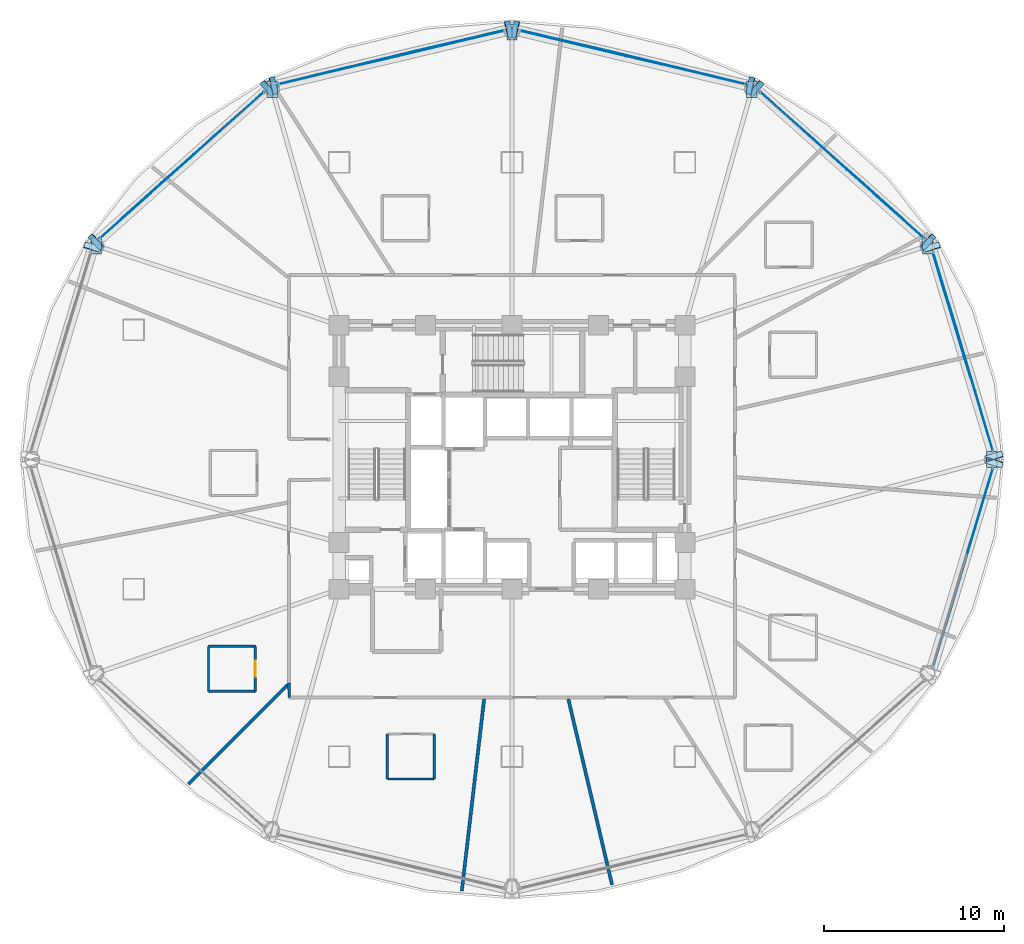
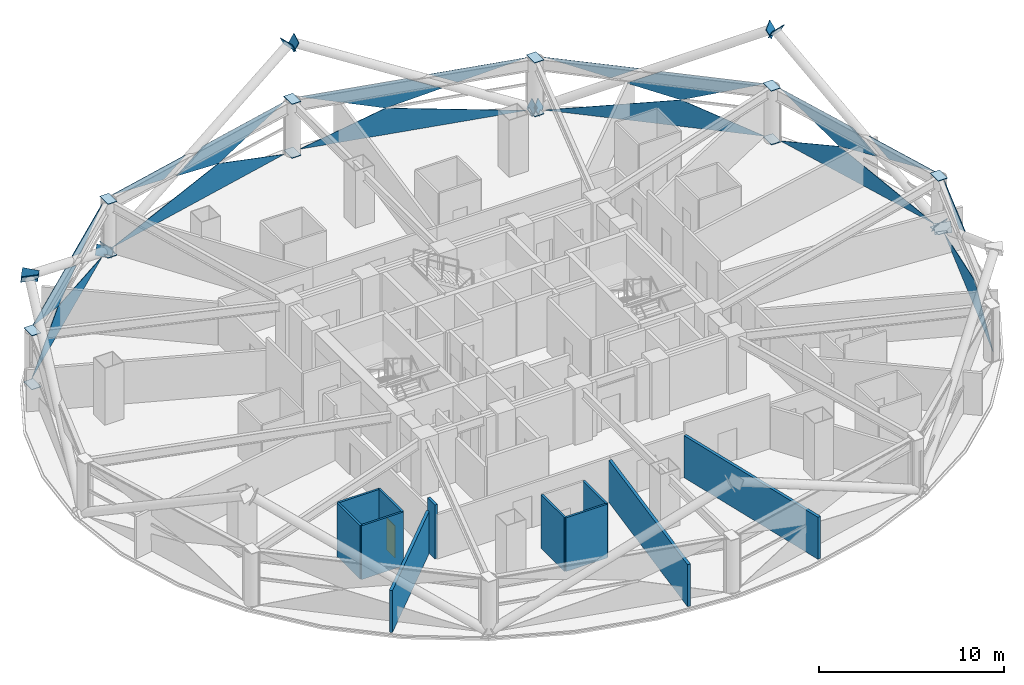
# One storey, part 23 of 31: 41 plates, 11 walls, 1 door, 1 opening, 6 elements without a shape of their own.
"""IFC4 building model written with IfcOpenShell, lengths in metres."""

from ifc_helpers import new_model, si_unit, direction, frame, frame_2d, origin, place, context, subcontext, project, spatial, polyline, rectangle, outline, extrude, material, layer, layer_set, type_object, element, fill, aggregate, save


model = new_model("IFC4")

# Units and contexts
model_context = context("Model", 3, precision=1e-05, world=origin(), true_north=direction((0.0, 1.0)))
body_context = subcontext(model_context, "Body", "Model", "MODEL_VIEW")
ifc_project = project(units=[si_unit("LENGTHUNIT", "METRE"), si_unit("AREAUNIT", "SQUARE_METRE"), si_unit("VOLUMEUNIT", "CUBIC_METRE"), si_unit("PLANEANGLEUNIT", "RADIAN"), si_unit("MASSUNIT", "GRAM", prefix="KILO")], contexts=[model_context])

# Site, building, storey
site_placement = place(None, origin())
site = spatial("IfcSite", under=ifc_project, at=site_placement, CompositionType="ELEMENT")
building_placement = place(site_placement, origin())
building = spatial("IfcBuilding", under=site, at=building_placement, Name="Vantalir Tower", CompositionType="ELEMENT")
storey_placement = place(building_placement, frame((0.0, 0.0, 42.0)))
storey = spatial("IfcBuildingStorey", under=building, at=storey_placement, Name="L09", CompositionType="ELEMENT", Elevation=42.0)

# Curtain wall, plates
ifc_material_1 = material(Name="Champagne-silver PVDF aluminium and double-silver Low-E glass", Category="aluminium")
ifc_layer_1 = layer(ifc_material_1, 0.18994140625)
ifc_layer_set_1 = layer_set([ifc_layer_1], Name="Champagne-silver PVDF aluminium and double-silver Low-E glass")
curtain_wall_type = type_object("IfcCurtainWallType", Name="CW-DIAMOND-Z1", PredefinedType="USERDEFINED", material=ifc_layer_set_1)
curtain_wall_1_placement = place(storey_placement, origin())
curtain_wall_1 = element("IfcCurtainWall", 1, at=curtain_wall_1_placement, inside=storey, type_object=curtain_wall_type, Name="L09 Quilted Pyramid-Diamond Curtain Wall S01", ObjectType="UNITISED CURTAIN WALL", PredefinedType="USERDEFINED")
ifc_material_2 = material(Name="Double-silver Low-E laminated glass IGU", Category="glass")
ifc_layer_2 = layer(ifc_material_2, 0.028076171875)
ifc_layer_set_2 = layer_set([ifc_layer_2], Name="Double-silver Low-E laminated glass IGU")
plate_type_1 = type_object("IfcPlateType", Name="CWP-IGU-28", PredefinedType="CURTAIN_PANEL", material=ifc_layer_set_2)
plate_1_placement = place(storey_placement, frame((58.189453125, 25.46435546875, 0.04638671875), z_axis=(-0.95758802022, -0.287810871385, 0.013787162279), x_axis=(-0.287837949678, 0.95767912908, 2.1198847e-05)))
plate_1 = element("IfcPlate", 2, at=plate_1_placement, type_object=plate_type_1, Name="CW-L09-S01 Pyramid Diamond Facet 1L", PredefinedType="CURTAIN_PANEL", context=body_context, shape_type="SweptSolid", body=[
    extrude(outline(polyline([(0.0, 0.0), (11.516693368469967, 4.960224939121183e-18), (7.134474884502269, -1.7268195281423935), (0.0, 0.0)])), origin(), (0.0, 0.0, -1.0), 0.028076171875),
])
plate_2_placement = place(storey_placement, frame((56.429931640625, 31.31884765625, 3.5234375), z_axis=(0.957586152687, 0.287819327154, 0.013740272884), x_axis=(-0.287846501772, 0.957676558874, 1.01143e-07)))
plate_2 = element("IfcPlate", 3, at=plate_2_placement, type_object=plate_type_1, Name="CW-L09-S01 Pyramid Diamond Facet 2U", PredefinedType="CURTAIN_PANEL", context=body_context, shape_type="SweptSolid", body=[
    extrude(outline(polyline([(0.0, 0.0), (5.4035113292705805, 0.0), (1.0212558560999583, -1.7269697733273917), (-1.8142888355389373, -1.0403806871199028), (0.0, 0.0)])), origin(), (0.0, 0.0, -1.0), 0.028076171875),
])
plate_3_placement = place(storey_placement, frame((58.219970703125, 25.4736328125, 3.524169921875), z_axis=(0.957588532416, 0.287802447823, 0.013926722994), x_axis=(-0.287829700777, 0.957681607266, -4.9548924e-05)))
plate_3 = element("IfcPlate", 4, at=plate_3_placement, type_object=plate_type_1, Name="CW-L09-S01 Pyramid Diamond Facet 2U Infill Light", PredefinedType="CURTAIN_PANEL", context=body_context, shape_type="SweptSolid", body=[
    extrude(outline(polyline([(0.0, 0.0), (4.927263888329867, -2.168404344971009e-19), (3.4648370796863825, -0.8387768554253257), (0.0, 0.0)])), origin(), (0.0, 0.0, -1.0), 0.028076171875),
])
aggregate(curtain_wall_1, [plate_1, plate_2, plate_3])

curtain_wall_2_placement = place(storey_placement, origin())
curtain_wall_2 = element("IfcCurtainWall", 5, at=curtain_wall_2_placement, inside=storey, type_object=curtain_wall_type, Name="L09 Quilted Pyramid-Diamond Curtain Wall S02", ObjectType="UNITISED CURTAIN WALL", PredefinedType="USERDEFINED")
plate_4_placement = place(storey_placement, frame((54.373046875, 37.28076171875, 0.046630859375), z_axis=(-0.665372937619, -0.746388040271, 0.01355533931), x_axis=(-0.746456803677, 0.665433873381, -2.0035344e-05)))
plate_4 = element("IfcPlate", 6, at=plate_4_placement, type_object=plate_type_1, Name="CW-L09-S02 Pyramid Diamond Facet 1L", PredefinedType="CURTAIN_PANEL", context=body_context, shape_type="SweptSolid", body=[
    extrude(outline(polyline([(0.0, 0.0), (12.185497165828616, -1.2088854223213374e-17), (4.632465465344607, -1.7270581323679652), (0.0, 0.0)])), origin(), (0.0, 0.0, -1.0), 0.028076171875),
])
plate_5_placement = place(storey_placement, frame((54.373046875, 37.28076171875, 3.5234375), z_axis=(0.665353248189, 0.746404957838, 0.013590218483), x_axis=(-0.746474279345, 0.66541426831, 4.2498864e-05)))
plate_5 = element("IfcPlate", 7, at=plate_5_placement, type_object=plate_type_1, Name="CW-L09-S02 Pyramid Diamond Facet 2U", PredefinedType="CURTAIN_PANEL", context=body_context, shape_type="SweptSolid", body=[
    extrude(outline(polyline([(0.0, 0.0), (5.726514672687783, 1.8973538018496328e-18), (7.637268089448259, -1.0402155632772805), (4.6324260451161114, -1.7274079542528402), (0.0, 0.0)])), origin(), (0.0, 0.0, -1.0), 0.028076171875),
])
plate_6_placement = place(storey_placement, frame((49.19873046875, 41.936279296875, 3.52392578125), z_axis=(0.665350611464, 0.746410219745, 0.013429359083), x_axis=(-0.746477952287, 0.665410147628, 4.6724959e-05)))
plate_6 = element("IfcPlate", 8, at=plate_6_placement, type_object=plate_type_1, Name="CW-L09-S02 Pyramid Diamond Facet 2U Infill Light", PredefinedType="CURTAIN_PANEL", context=body_context, shape_type="SweptSolid", body=[
    extrude(outline(polyline([(0.0, 0.0), (5.2250580382888225, 8.40256683676266e-18), (1.545889112201607, -0.841212544437501), (0.0, 0.0)])), origin(), (0.0, 0.0, -1.0), 0.028076171875),
])
aggregate(curtain_wall_2, [plate_4, plate_5, plate_6])

curtain_wall_3_placement = place(storey_placement, origin())
curtain_wall_3 = element("IfcCurtainWall", 9, at=curtain_wall_3_placement, inside=storey, type_object=curtain_wall_type, Name="L09 Quilted Pyramid-Diamond Curtain Wall S03", ObjectType="UNITISED CURTAIN WALL", PredefinedType="USERDEFINED")
plate_7_placement = place(storey_placement, frame((44.443359375, 45.82470703125, 0.046142578125), z_axis=(-0.232285713853, -0.972551192562, 0.013693976268), x_axis=(-0.972642333461, 0.232307750187, 1.9040058e-05)))
plate_7 = element("IfcPlate", 10, at=plate_7_placement, type_object=plate_type_1, Name="CW-L09-S03 Pyramid Diamond Facet 1L", PredefinedType="CURTAIN_PANEL", context=body_context, shape_type="SweptSolid", body=[
    extrude(outline(polyline([(0.0, 0.0), (12.822472617576965, -7.670730370334944e-18), (7.9437987635103235, -1.7275497993928277), (0.0, 0.0)])), origin(), (0.0, 0.0, -1.0), 0.028076171875),
])
plate_8_placement = place(storey_placement, frame((37.840576171875, 47.401611328125, 3.523681640625), z_axis=(0.232298692746, 0.972547305171, 0.013749783719), x_axis=(-0.97263912115, 0.232321196549, -4.0530152e-05)))
plate_8 = element("IfcPlate", 11, at=plate_8_placement, type_object=plate_type_1, Name="CW-L09-S03 Pyramid Diamond Facet 2U", PredefinedType="CURTAIN_PANEL", context=body_context, shape_type="SweptSolid", body=[
    extrude(outline(polyline([(0.0, 0.0), (6.033999068466349, -1.6263032587282567e-18), (1.1553626647704507, -1.7276555569161969), (-2.004098927147589, -1.040463206528246), (0.0, 0.0)])), origin(), (0.0, 0.0, -1.0), 0.028076171875),
])
plate_9_placement = place(storey_placement, frame((44.45068359375, 45.855712890625, 3.524169921875), z_axis=(0.232301256046, 0.972545472183, 0.013835858297), x_axis=(-0.972638573214, 0.232323494067, 0.0)))
plate_9 = element("IfcPlate", 12, at=plate_9_placement, type_object=plate_type_1, Name="CW-L09-S03 Pyramid Diamond Facet 2U Infill Light", PredefinedType="CURTAIN_PANEL", context=body_context, shape_type="SweptSolid", body=[
    extrude(outline(polyline([(0.0, 0.0), (5.508634248940906, -3.469446951953614e-18), (3.8823789011001124, -0.8443190995321054), (0.0, 0.0)])), origin(), (0.0, 0.0, -1.0), 0.028076171875),
])
aggregate(curtain_wall_3, [plate_7, plate_8, plate_9])

curtain_wall_4_placement = place(storey_placement, origin())
curtain_wall_4 = element("IfcCurtainWall", 13, at=curtain_wall_4_placement, inside=storey, type_object=curtain_wall_type, Name="L09 Quilted Pyramid-Diamond Curtain Wall S04", ObjectType="UNITISED CURTAIN WALL", PredefinedType="USERDEFINED")
plate_10_placement = place(storey_placement, frame((31.0283203125, 48.803466796875, 0.04638671875), z_axis=(0.23230286718, -0.972546854083, 0.013711109148), x_axis=(-0.972638222873, -0.232324960009, -1.9041469e-05)))
plate_10 = element("IfcPlate", 14, at=plate_10_placement, type_object=plate_type_1, Name="CW-L09-S04 Pyramid Diamond Facet 1L", PredefinedType="CURTAIN_PANEL", context=body_context, shape_type="SweptSolid", body=[
    extrude(outline(polyline([(0.0, 0.0), (12.821522773555245, 6.505213034913027e-19), (4.878435971777189, -1.7275502073877023), (0.0, 0.0)])), origin(), (0.0, 0.0, -1.0), 0.028076171875),
])
plate_11_placement = place(storey_placement, frame((31.0283203125, 48.803466796875, 3.5234375), z_axis=(-0.232321390417, 0.972541640303, 0.013766968881), x_axis=(-0.972633685778, -0.232343951183, 4.0470184e-05)))
plate_11 = element("IfcPlate", 15, at=plate_11_placement, type_object=plate_type_1, Name="CW-L09-S04 Pyramid Diamond Facet 2U", PredefinedType="CURTAIN_PANEL", context=body_context, shape_type="SweptSolid", body=[
    extrude(outline(polyline([(0.0, 0.0), (6.033524148734834, -1.8973538018496328e-19), (8.037385342925264, -1.040462941663841), (4.878398491529251, -1.7276560443597448), (0.0, 0.0)])), origin(), (0.0, 0.0, -1.0), 0.028076171875),
])
plate_12_placement = place(storey_placement, frame((23.90771484375, 47.135498046875, 3.524169921875), z_axis=(-0.232321157645, 0.972540153256, 0.013875518531), x_axis=(-0.972633788362, -0.232343525273, 0.0)))
plate_12 = element("IfcPlate", 16, at=plate_12_placement, type_object=plate_type_1, Name="CW-L09-S04 Pyramid Diamond Facet 2U Infill Light", PredefinedType="CURTAIN_PANEL", context=body_context, shape_type="SweptSolid", body=[
    extrude(outline(polyline([(0.0, 0.0), (5.508159328930706, 0.0), (1.6262551069104354, -0.8443195635914246), (0.0, 0.0)])), origin(), (0.0, 0.0, -1.0), 0.028076171875),
])
aggregate(curtain_wall_4, [plate_10, plate_11, plate_12])

curtain_wall_5_placement = place(storey_placement, origin())
curtain_wall_5 = element("IfcCurtainWall", 17, at=curtain_wall_5_placement, inside=storey, type_object=curtain_wall_type, Name="L09 Quilted Pyramid-Diamond Curtain Wall S05", ObjectType="UNITISED CURTAIN WALL", PredefinedType="USERDEFINED")
plate_13_placement = place(storey_placement, frame((17.723876953125, 45.389404296875, 0.04638671875), z_axis=(0.665332693321, -0.746423023561, 0.013604304349), x_axis=(-0.746492287274, -0.665394067181, 2.0034145e-05)))
plate_13 = element("IfcPlate", 18, at=plate_13_placement, type_object=plate_type_1, Name="CW-L09-S05 Pyramid Diamond Facet 1L", PredefinedType="CURTAIN_PANEL", context=body_context, shape_type="SweptSolid", body=[
    extrude(outline(polyline([(0.0, 0.0), (12.18622614487745, -1.5612511283791264e-17), (7.553579683354092, -1.7270592790379746), (0.0, 0.0)])), origin(), (0.0, 0.0, -1.0), 0.028076171875),
])
plate_14_placement = place(storey_placement, frame((12.902099609375, 41.09130859375, 3.523681640625), z_axis=(-0.66530015511, 0.746451381906, 0.013639577043), x_axis=(-0.746521209098, -0.665361617902, -4.2307484e-05)))
plate_14 = element("IfcPlate", 19, at=plate_14_placement, type_object=plate_type_1, Name="CW-L09-S05 Pyramid Diamond Facet 2U", PredefinedType="CURTAIN_PANEL", context=body_context, shape_type="SweptSolid", body=[
    extrude(outline(polyline([(0.0, 0.0), (5.726879166756416, 1.6425662913155392e-17), (1.0942722061939565, -1.7274093169315077), (-1.9109348741535521, -1.0402148237797695), (0.0, 0.0)])), origin(), (0.0, 0.0, -1.0), 0.028076171875),
])
plate_15_placement = place(storey_placement, frame((17.70263671875, 45.413330078125, 3.524169921875), z_axis=(-0.665353500497, 0.746407769628, 0.013422399723), x_axis=(-0.746475431947, -0.665412975014, -4.6721877e-05)))
plate_15 = element("IfcPlate", 20, at=plate_15_placement, type_object=plate_type_1, Name="CW-L09-S05 Pyramid Diamond Facet 2U Infill Light", PredefinedType="CURTAIN_PANEL", context=body_context, shape_type="SweptSolid", body=[
    extrude(outline(polyline([(0.0, 0.0), (5.225402737569448, -1.328147661294743e-18), (3.6795135799975642, -0.8412124610609253), (0.0, 0.0)])), origin(), (0.0, 0.0, -1.0), 0.028076171875),
])
aggregate(curtain_wall_5, [plate_13, plate_14, plate_15])

curtain_wall_6_placement = place(storey_placement, origin())
curtain_wall_6 = element("IfcCurtainWall", 21, at=curtain_wall_6_placement, inside=storey, type_object=curtain_wall_type, Name="L09 Quilted Pyramid-Diamond Curtain Wall S12", ObjectType="UNITISED CURTAIN WALL", PredefinedType="USERDEFINED")
plate_16_placement = place(storey_placement, frame((54.87451171875, 13.50634765625, 0.046630859375), z_axis=(-0.95758802022, 0.287810871385, 0.013787162279), x_axis=(0.287837949678, 0.95767912908, -2.1198847e-05)))
plate_16 = element("IfcPlate", 22, at=plate_16_placement, type_object=plate_type_1, Name="CW-L09-S12 Pyramid Diamond Facet 1L", PredefinedType="CURTAIN_PANEL", context=body_context, shape_type="SweptSolid", body=[
    extrude(outline(polyline([(0.0, 0.0), (11.516693368469967, -4.960224939121183e-18), (4.3822184839677, -1.7268195281423935), (0.0, 0.0)])), origin(), (0.0, 0.0, -1.0), 0.028076171875),
])
plate_17_placement = place(storey_placement, frame((56.8017578125, 19.8076171875, 3.52392578125), z_axis=(0.957588532416, -0.287802447823, 0.013926722994), x_axis=(0.287829700777, 0.957681607266, 4.9548924e-05)))
plate_17 = element("IfcPlate", 23, at=plate_17_placement, type_object=plate_type_1, Name="CW-L09-S12 Pyramid Diamond Facet 2U Infill Light", PredefinedType="CURTAIN_PANEL", context=body_context, shape_type="SweptSolid", body=[
    extrude(outline(polyline([(0.0, 0.0), (4.927263888329867, 2.168404344971009e-19), (1.4624268086434844, -0.8387768554253257), (0.0, 0.0)])), origin(), (0.0, 0.0, -1.0), 0.028076171875),
])
aggregate(curtain_wall_6, [plate_16, plate_17])

# Plates
ifc_material_3 = material(Name="Steel S460", Category="steel")
ifc_layer_3 = layer(ifc_material_3, 0.0400390625)
ifc_layer_set_3 = layer_set([ifc_layer_3], Name="Steel S460")
plate_type_2 = type_object("IfcPlateType", Name="PLT-KN-Z1", PredefinedType="USERDEFINED", material=ifc_layer_set_3)
plate_18_placement = place(storey_placement, frame((58.6826171875, 25.473876953125, -0.075439453125), z_axis=(-0.2496843344, 0.830757742984, 0.497493020683), x_axis=(-0.957683797391, -0.287822417403, -1.5959331e-05)))
element("IfcPlate", 24, at=plate_18_placement, inside=storey, type_object=plate_type_2, Name="Node Cap Plate MEM-DG-L09-R01L Start", ObjectType="FLANGE_PLATE", PredefinedType="USERDEFINED", context=body_context, shape_type="SweptSolid", body=[
    extrude(outline(polyline([(0.0, 0.0), (0.9501095264571026, 0.0), (0.9500199425708274, 0.6200309080532143), (0.00014422563457230244, 0.619995952880969), (0.0, 0.0)])), origin(), (0.0, 0.0, -1.0), 0.0400390625),
])
plate_19_placement = place(storey_placement, frame((55.1923828125, 37.086181640625, 6.87744140625), z_axis=(-0.2496843344, 0.830757742984, 0.497493020683), x_axis=(-0.95767852789, -0.287839950256, 1.5963259e-05)))
element("IfcPlate", 25, at=plate_19_placement, inside=storey, type_object=plate_type_2, Name="Node Cap Plate MEM-DG-L09-R01L End", ObjectType="FLANGE_PLATE", PredefinedType="USERDEFINED", context=body_context, shape_type="SweptSolid", body=[
    extrude(outline(polyline([(0.0, 0.0), (0.9498757175794257, 0.0), (0.9500427588990717, 0.6199959471536988), (-6.676691470205889e-05, 0.6200309109300481), (0.0, 0.0)])), origin(), (0.0, 0.0, -1.0), 0.0400390625),
])
plate_20_placement = place(storey_placement, frame((57.772705078125, 24.799560546875, -0.075439453125), z_axis=(-0.2496843344, -0.830757742984, 0.497493020683), x_axis=(0.957683797391, -0.287822417403, 1.5959331e-05)))
element("IfcPlate", 26, at=plate_20_placement, inside=storey, type_object=plate_type_2, Name="Node Cap Plate MEM-DG-L09-R01R Start", ObjectType="FLANGE_PLATE", PredefinedType="USERDEFINED", context=body_context, shape_type="SweptSolid", body=[
    extrude(outline(polyline([(0.0, 0.0), (0.9501095264571026, 0.0), (0.9499653008225303, 0.619995952880969), (8.958388627516144e-05, 0.6200309080532143), (0.0, 0.0)])), origin(), (0.0, 0.0, -1.0), 0.0400390625),
])
plate_21_placement = place(storey_placement, frame((44.689697265625, 46.254150390625, -0.090087890625), z_axis=(-0.863274797419, 0.20620964906, 0.460688837259), x_axis=(-0.232326582591, -0.972637835411, 1.2206029e-05)))
element("IfcPlate", 27, at=plate_21_placement, inside=storey, type_object=plate_type_2, Name="Node Cap Plate MEM-DG-L09-R07L Start", ObjectType="FLANGE_PLATE", PredefinedType="USERDEFINED", context=body_context, shape_type="SweptSolid", body=[
    extrude(outline(polyline([(0.0, 0.0), (0.9500628509990552, -1.3877787807814457e-17), (0.949873572385051, 0.6199922397103949), (4.818179503171985e-05, 0.620018367573198), (0.0, 0.0)])), origin(), (0.0, 0.0, -1.0), 0.0400390625),
])
plate_22_placement = place(storey_placement, frame((31.6337890625, 49.372314453125, 6.878173828125), z_axis=(-0.863274797419, 0.20620964906, 0.460688837259), x_axis=(-0.232338908481, -0.972634891137, -1.220908e-05)))
element("IfcPlate", 28, at=plate_22_placement, inside=storey, type_object=plate_type_2, Name="Node Cap Plate MEM-DG-L09-R07L End", ObjectType="FLANGE_PLATE", PredefinedType="USERDEFINED", context=body_context, shape_type="SweptSolid", body=[
    extrude(outline(polyline([(0.0, 0.0), (0.9498253909493828, 0.0), (0.9498565172360917, 0.6200183686640041), (-0.00020633340351011012, 0.6199922342691335), (0.0, 0.0)])), origin(), (0.0, 0.0, -1.0), 0.0400390625),
])
plate_23_placement = place(storey_placement, frame((44.859130859375, 45.12548828125, -0.083251953125), z_axis=(0.65558217793, -0.584382116953, 0.478235872104), x_axis=(0.665391504397, 0.746494570813, 4.0285471e-05)))
element("IfcPlate", 29, at=plate_23_placement, inside=storey, type_object=plate_type_2, Name="Node Cap Plate MEM-DG-L09-R07R Start", ObjectType="FLANGE_PLATE", PredefinedType="USERDEFINED", context=body_context, shape_type="SweptSolid", body=[
    extrude(outline(polyline([(0.0, 0.0), (0.9500159504628366, 2.7755575615628914e-17), (0.950116718732888, 0.61987683167743), (-6.168082770172895e-05, 0.6199639957458387), (0.0, 0.0)])), origin(), (0.0, 0.0, -1.0), 0.0400390625),
])
plate_24_placement = place(storey_placement, frame((54.40625, 36.61474609375, 6.8779296875), z_axis=(0.655584368073, -0.584472427322, 0.478122492713), x_axis=(0.665463937631, 0.746430001885, 0.0)))
element("IfcPlate", 30, at=plate_24_placement, inside=storey, type_object=plate_type_2, Name="Node Cap Plate MEM-DG-L09-R07R End", ObjectType="FLANGE_PLATE", PredefinedType="USERDEFINED", context=body_context, shape_type="SweptSolid", body=[
    extrude(outline(polyline([(0.0, 0.0), (0.9498337060541948, 0.0), (0.9498837827215394, 0.6198768430110618), (5.007666734460625e-05, 0.6198768430110617), (0.0, 0.0)])), origin(), (0.0, 0.0, -1.0), 0.0400390625),
])
plate_25_placement = place(storey_placement, frame((17.509765625, 45.834716796875, -0.083251953125), z_axis=(-0.65558217793, -0.584382116953, 0.478235872104), x_axis=(0.665391504397, -0.746494570813, -4.0285471e-05)))
element("IfcPlate", 31, at=plate_25_placement, inside=storey, type_object=plate_type_2, Name="Node Cap Plate MEM-DG-L09-R13L Start", ObjectType="FLANGE_PLATE", PredefinedType="USERDEFINED", context=body_context, shape_type="SweptSolid", body=[
    extrude(outline(polyline([(0.0, 0.0), (0.9500159504628366, -2.7755575615628914e-17), (0.9500776312905383, 0.6199639957458387), (-0.00010076827005141891, 0.61987683167743), (0.0, 0.0)])), origin(), (0.0, 0.0, -1.0), 0.0400390625),
])
plate_26_placement = place(storey_placement, frame((7.961669921875, 37.323974609375, 6.8779296875), z_axis=(-0.655675424153, -0.584452977494, 0.478021396237), x_axis=(0.665385519158, -0.746499905966, -3.5898481e-05)))
element("IfcPlate", 32, at=plate_26_placement, inside=storey, type_object=plate_type_2, Name="Node Cap Plate MEM-DG-L09-R13L End", ObjectType="FLANGE_PLATE", PredefinedType="USERDEFINED", context=body_context, shape_type="SweptSolid", body=[
    extrude(outline(polyline([(0.0, 0.0), (0.9500159511545738, 2.7755575615628914e-17), (0.9499151949837162, 0.619876832739545), (8.1494782747344e-05, 0.619799185040045), (0.0, 0.0)])), origin(), (0.0, 0.0, -1.0), 0.0400390625),
])
plate_27_placement = place(storey_placement, frame((18.531982421875, 45.330078125, -0.090087890625), z_axis=(0.863274797419, 0.20620964906, 0.460688837259), x_axis=(-0.232326582591, 0.972637835411, -1.2206029e-05)))
element("IfcPlate", 33, at=plate_27_placement, inside=storey, type_object=plate_type_2, Name="Node Cap Plate MEM-DG-L09-R13R Start", ObjectType="FLANGE_PLATE", PredefinedType="USERDEFINED", context=body_context, shape_type="SweptSolid", body=[
    extrude(outline(polyline([(0.0, 0.0), (0.9500628509990552, 1.3877787807814457e-17), (0.9500146692040234, 0.620018367573198), (0.00018927861400413578, 0.619992239710395), (0.0, 0.0)])), origin(), (0.0, 0.0, -1.0), 0.0400390625),
])
plate_28_placement = place(storey_placement, frame((31.5869140625, 48.448486328125, 6.878173828125), z_axis=(0.863274797419, 0.20620964906, 0.460688837259), x_axis=(-0.232338908481, 0.972634891137, 1.220908e-05)))
element("IfcPlate", 34, at=plate_28_placement, inside=storey, type_object=plate_type_2, Name="Node Cap Plate MEM-DG-L09-R13R End", ObjectType="FLANGE_PLATE", PredefinedType="USERDEFINED", context=body_context, shape_type="SweptSolid", body=[
    extrude(outline(polyline([(0.0, 0.0), (0.9498253909493828, 0.0), (0.9500317243528931, 0.6199922342691335), (-3.1126286708836746e-05, 0.6200183686640041), (0.0, 0.0)])), origin(), (0.0, 0.0, -1.0), 0.0400390625),
])
plate_29_placement = place(storey_placement, frame((8.71728515625, 36.812744140625, 6.87744140625), z_axis=(0.2496843344, 0.830757742984, 0.497493020683), x_axis=(-0.95767852789, 0.287839950256, -1.5963259e-05)))
element("IfcPlate", 35, at=plate_29_placement, inside=storey, type_object=plate_type_2, Name="Node Cap Plate MEM-DG-L09-R19R End", ObjectType="FLANGE_PLATE", PredefinedType="USERDEFINED", context=body_context, shape_type="SweptSolid", body=[
    extrude(outline(polyline([(0.0, 0.0), (0.9498757175794257, 0.0), (0.9499424844941278, 0.6200309109300481), (-0.00016704131964609512, 0.6199959471536988), (0.0, 0.0)])), origin(), (0.0, 0.0, -1.0), 0.0400390625),
])
ifc_layer_4 = layer(ifc_material_3, 0.035888671875)
ifc_layer_set_4 = layer_set([ifc_layer_4], Name="Steel S460")
plate_type_3 = type_object("IfcPlateType", Name="PLT-KN-Z2", PredefinedType="USERDEFINED", material=ifc_layer_set_4)
for number, where, z_axis, x_axis, name in (
    (36, (57.84912109375, 25.43994140625, 3.597900390625), (0.0, 0.0, 1.0), (0.0, -1.0, 0.0), "L09 Ring Column Top Cap RC01"),
    (37, (57.84912109375, 25.43994140625, 0.052978515625), (0.0, 0.0, 1.0), (0.0, -1.0, 0.0), "L09 Ring Column Base Cap RC01"),
):
    element("IfcPlate", number, at=place(storey_placement, frame(where, z_axis=z_axis, x_axis=x_axis)), inside=storey, type_object=plate_type_3, Name=name, ObjectType="FLANGE_PLATE", PredefinedType="USERDEFINED", context=body_context, shape_type="SweptSolid", body=[
        extrude(outline(polyline([(0.0, 0.0), (0.8798828125, 0.0), (0.8798828125, 0.579833984375), (0.0, 0.579833984375), (0.0, 0.0)])), origin(), (0.0, 0.0, -1.0), 0.035888671875),
    ])
for number, where, z_axis, x_axis, name in (
    (38, (54.280029296875, 37.302978515625, 3.597900390625), (0.0, 0.0, 1.0), (0.0, -1.0, 0.0), "L09 Ring Column Top Cap RC02"),
    (39, (54.280029296875, 37.302978515625, 0.052978515625), (0.0, 0.0, 1.0), (0.0, -1.0, 0.0), "L09 Ring Column Base Cap RC02"),
):
    element("IfcPlate", number, at=place(storey_placement, frame(where, z_axis=z_axis, x_axis=x_axis)), inside=storey, type_object=plate_type_3, Name=name, ObjectType="FLANGE_PLATE", PredefinedType="USERDEFINED", context=body_context, shape_type="SweptSolid", body=[
        extrude(outline(polyline([(0.0, 0.0), (0.8798828125, 0.0), (0.8798828125, 0.580078125), (0.0, 0.580078125), (0.0, 0.0)])), origin(), (0.0, 0.0, -1.0), 0.035888671875),
    ])
for number, where, z_axis, x_axis, name in (
    (40, (44.530029296875, 45.987060546875, 3.597900390625), (0.0, 0.0, 1.0), (0.0, -1.0, 0.0), "L09 Ring Column Top Cap RC03"),
    (41, (44.530029296875, 45.987060546875, 0.052978515625), (0.0, 0.0, 1.0), (0.0, -1.0, 0.0), "L09 Ring Column Base Cap RC03"),
    (42, (31.2099609375, 49.166015625, 3.597900390625), (0.0, 0.0, 1.0), (0.0, -1.0, 0.0), "L09 Ring Column Top Cap RC04"),
    (43, (31.2099609375, 49.166015625, 0.052978515625), (0.0, 0.0, 1.0), (0.0, -1.0, 0.0), "L09 Ring Column Base Cap RC04"),
):
    element("IfcPlate", number, at=place(storey_placement, frame(where, z_axis=z_axis, x_axis=x_axis)), inside=storey, type_object=plate_type_3, Name=name, ObjectType="FLANGE_PLATE", PredefinedType="USERDEFINED", context=body_context, shape_type="SweptSolid", body=[
        extrude(outline(polyline([(0.0, 0.0), (0.880126953125, 0.0), (0.880126953125, 0.580078125), (0.0, 0.580078125), (0.0, 0.0)])), origin(), (0.0, 0.0, -1.0), 0.035888671875),
    ])
for number, where, z_axis, x_axis, name in (
    (44, (17.89111328125, 45.987060546875, 3.597900390625), (0.0, 0.0, 1.0), (0.0, -1.0, 0.0), "L09 Ring Column Top Cap RC05"),
    (45, (17.89111328125, 45.987060546875, 0.052978515625), (0.0, 0.0, 1.0), (0.0, -1.0, 0.0), "L09 Ring Column Base Cap RC05"),
):
    element("IfcPlate", number, at=place(storey_placement, frame(where, z_axis=z_axis, x_axis=x_axis)), inside=storey, type_object=plate_type_3, Name=name, ObjectType="FLANGE_PLATE", PredefinedType="USERDEFINED", context=body_context, shape_type="SweptSolid", body=[
        extrude(outline(polyline([(0.0, 0.0), (0.880126953125, 0.0), (0.880126953125, 0.579833984375), (0.0, 0.579833984375), (0.0, 0.0)])), origin(), (0.0, 0.0, -1.0), 0.035888671875),
    ])
for number, where, z_axis, x_axis, name in (
    (46, (8.139892578125, 37.302978515625, 3.597900390625), (0.0, 0.0, 1.0), (0.0, -1.0, 0.0), "L09 Ring Column Top Cap RC06"),
    (47, (8.139892578125, 37.302978515625, 0.052978515625), (0.0, 0.0, 1.0), (0.0, -1.0, 0.0), "L09 Ring Column Base Cap RC06"),
):
    element("IfcPlate", number, at=place(storey_placement, frame(where, z_axis=z_axis, x_axis=x_axis)), inside=storey, type_object=plate_type_3, Name=name, ObjectType="FLANGE_PLATE", PredefinedType="USERDEFINED", context=body_context, shape_type="SweptSolid", body=[
        extrude(outline(polyline([(0.0, 0.0), (0.8798828125, 0.0), (0.8798828125, 0.580078125), (0.0, 0.580078125), (0.0, 0.0)])), origin(), (0.0, 0.0, -1.0), 0.035888671875),
    ])

# Walls
ifc_material_4 = material(Name="Moisture-resistant en-suite partition", Category="gypsum")
ifc_layer_5 = layer(ifc_material_4, 0.125)
ifc_layer_set_5 = layer_set([ifc_layer_5], Name="Moisture-resistant en-suite partition")
wall_type_1 = type_object("IfcWallType", Name="WL-BATH-125", PredefinedType="PARTITIONING", material=ifc_layer_set_5)
for number, where, z_axis, x_axis, name in (
    (48, (14.652099609375, 12.133056640625, 0.0), (0.0, 0.0, 1.0), (1.0, 0.0, 0.0), "L09 En-suite 08 South Wall"),
    (49, (14.652099609375, 14.633056640625, 0.0), (0.0, 0.0, 1.0), (1.0, 0.0, 0.0), "L09 En-suite 08 North Wall"),
):
    element("IfcWall", number, at=place(storey_placement, frame(where, z_axis=z_axis, x_axis=x_axis)), inside=storey, type_object=wall_type_1, Name=name, PredefinedType="PARTITIONING", context=body_context, shape_type="SweptSolid", body=[
        extrude(rectangle(XDim=2.599853515625, YDim=0.125, at=frame_2d((1.2998046875, 0.0))), origin(), (0.0, 0.0, 1.0), 3.550048828125),
    ])
wall_1_placement = place(storey_placement, frame((14.652099609375, 12.133056640625, 0.0), z_axis=(0.0, 0.0, 1.0), x_axis=(0.0, 1.0, 0.0)))
element("IfcWall", 50, at=wall_1_placement, inside=storey, type_object=wall_type_1, Name="L09 En-suite 08 West Wall", PredefinedType="PARTITIONING", context=body_context, shape_type="SweptSolid", body=[
    extrude(rectangle(XDim=2.5, YDim=0.125, at=frame_2d((1.25, 0.0))), origin(), (0.0, 0.0, 1.0), 3.550048828125),
])

# Wall, opening, door
wall_2_placement = place(storey_placement, frame((17.251953125, 12.133056640625, 0.0), z_axis=(0.0, 0.0, 1.0), x_axis=(0.0, 1.0, 0.0)))
wall_2 = element("IfcWall", 51, at=wall_2_placement, inside=storey, type_object=wall_type_1, Name="L09 En-suite 08 East Wall", PredefinedType="PARTITIONING", context=body_context, shape_type="SweptSolid", body=[
    extrude(rectangle(XDim=2.5, YDim=0.125, at=frame_2d((1.25, 0.0))), origin(), (0.0, 0.0, 1.0), 3.550048828125),
])
opening_placement = place(wall_2_placement, frame((0.800048828125, 0.0, 0.0)))
opening = element("IfcOpeningElement", 52, at=opening_placement, cuts=wall_2, Name="Opening D-WC", PredefinedType="OPENING", context=body_context, shape_type="SweptSolid", body=[
    extrude(rectangle(XDim=0.89990234375, YDim=2.10009765625, at=frame_2d((0.449951171875, 1.050048828125))), frame((0.0, 0.072509765625, 0.0), z_axis=(0.0, -1.0, 0.0), x_axis=(1.0, 0.0, 0.0)), (0.0, 0.0, 1.0), 0.14501953125),
])
ifc_material_5 = material(Name="Moisture-resistant hardwood door", Category="wood")
door_type = type_object("IfcDoorType", Name="DR-ENSUITE-900", OperationType="NOTDEFINED", PredefinedType="DOOR", material=ifc_material_5)
door_placement = place(opening_placement, origin())
door = element("IfcDoor", 53, at=door_placement, inside=storey, type_object=door_type, Name="L09 En-suite 08 Door", OperationType="SINGLE_SWING_RIGHT", OverallHeight=2.10009765625, OverallWidth=0.89990234375, PredefinedType="DOOR", context=body_context, shape_type="SweptSolid", body=[
    extrude(rectangle(XDim=0.89990234375, YDim=2.10009765625, at=frame_2d((0.449951171875, 1.050048828125))), frame((0.0, 0.02490234375, 0.0), z_axis=(0.0, -1.0, 0.0), x_axis=(1.0, 0.0, 0.0)), (0.0, 0.0, 1.0), 0.050048828125),
])
fill(opening, door)

# Walls
wall_3_placement = place(storey_placement, frame((24.580078125, 7.261962890625, 0.0), z_axis=(0.0, 0.0, 1.0), x_axis=(1.0, 0.0, 0.0)))
element("IfcWall", 54, at=wall_3_placement, inside=storey, type_object=wall_type_1, Name="L09 En-suite 09 South Wall", PredefinedType="PARTITIONING", context=body_context, shape_type="SweptSolid", body=[
    extrude(rectangle(XDim=2.599853515625, YDim=0.125, at=frame_2d((1.2998046875, 0.0))), origin(), (0.0, 0.0, 1.0), 3.550048828125),
])
for number, where, z_axis, x_axis, name in (
    (55, (24.580078125, 7.261962890625, 0.0), (0.0, 0.0, 1.0), (0.0, 1.0, 0.0), "L09 En-suite 09 West Wall"),
    (56, (27.179931640625, 7.261962890625, 0.0), (0.0, 0.0, 1.0), (0.0, 1.0, 0.0), "L09 En-suite 09 East Wall"),
):
    element("IfcWall", number, at=place(storey_placement, frame(where, z_axis=z_axis, x_axis=x_axis)), inside=storey, type_object=wall_type_1, Name=name, PredefinedType="PARTITIONING", context=body_context, shape_type="SweptSolid", body=[
        extrude(rectangle(XDim=2.5, YDim=0.125, at=frame_2d((1.25, 0.0))), origin(), (0.0, 0.0, 1.0), 3.550048828125),
    ])
ifc_material_6 = material(Name="Fire-rated hotel corridor acoustic partition", Category="gypsum")
ifc_layer_6 = layer(ifc_material_6, 0.159912109375)
ifc_layer_set_6 = layer_set([ifc_layer_6], Name="Fire-rated hotel corridor acoustic partition")
wall_type_2 = type_object("IfcWallType", Name="WL-CORR-160", PredefinedType="PARTITIONING", material=ifc_layer_set_6)
wall_4_placement = place(storey_placement, frame((19.131103515625, 11.780029296875, 0.0), z_axis=(0.0, 0.0, 1.0), x_axis=(-0.001512857573, 0.99999885563, 0.0)))
element("IfcWall", 57, at=wall_4_placement, inside=storey, type_object=wall_type_2, Name="L09 Corridor Partition 18", PredefinedType="PARTITIONING", context=body_context, shape_type="SweptSolid", body=[
    extrude(rectangle(XDim=0.806884765625, YDim=0.159912109375, at=frame_2d((0.4033203125, 0.0))), origin(), (0.0, 0.0, 1.0), 3.550048828125),
])
ifc_material_7 = material(Name="Twin-stud acoustic fire-rated gypsum partition", Category="gypsum")
ifc_layer_7 = layer(ifc_material_7, 0.179931640625)
ifc_layer_set_7 = layer_set([ifc_layer_7], Name="Twin-stud acoustic fire-rated gypsum partition")
wall_type_3 = type_object("IfcWallType", Name="WL-GUEST-180", PredefinedType="PARTITIONING", material=ifc_layer_set_7)
wall_5_placement = place(storey_placement, frame((19.034912109375, 12.491943359375, 0.0), z_axis=(0.0, 0.0, 1.0), x_axis=(-0.705820822029, -0.708390405913, 0.0)))
element("IfcWall", 58, at=wall_5_placement, inside=storey, type_object=wall_type_3, Name="L09 Radial Suite Partition 09", PredefinedType="PARTITIONING", context=body_context, shape_type="SweptSolid", body=[
    extrude(rectangle(XDim=7.791015625, YDim=0.179931640625, at=frame_2d((3.8955078125, 0.0))), origin(), (0.0, 0.0, 1.0), 2.77490234375),
])
wall_6_placement = place(storey_placement, frame((29.952880859375, 11.699951171875, 0.0), z_axis=(0.0, 0.0, 1.0), x_axis=(-0.115564552906, -0.993299971867, 0.0)))
element("IfcWall", 59, at=wall_6_placement, inside=storey, type_object=wall_type_3, Name="L09 Radial Suite Partition 10", PredefinedType="PARTITIONING", context=body_context, shape_type="SweptSolid", body=[
    extrude(rectangle(XDim=10.729736328125, YDim=0.179931640625, at=frame_2d((5.36474609375, 0.0))), origin(), (0.0, 0.0, 1.0), 2.77490234375),
])
wall_7_placement = place(storey_placement, frame((34.62890625, 11.699951171875, 0.0), z_axis=(0.0, 0.0, 1.0), x_axis=(0.229071468701, -0.973409606603, 0.0)))
element("IfcWall", 60, at=wall_7_placement, inside=storey, type_object=wall_type_3, Name="L09 Radial Suite Partition 11", PredefinedType="PARTITIONING", context=body_context, shape_type="SweptSolid", body=[
    extrude(rectangle(XDim=10.58642578125, YDim=0.179931640625, at=frame_2d((5.293212890625, 0.0))), origin(), (0.0, 0.0, 1.0), 2.77490234375),
])

save(model, "model.ifc")
